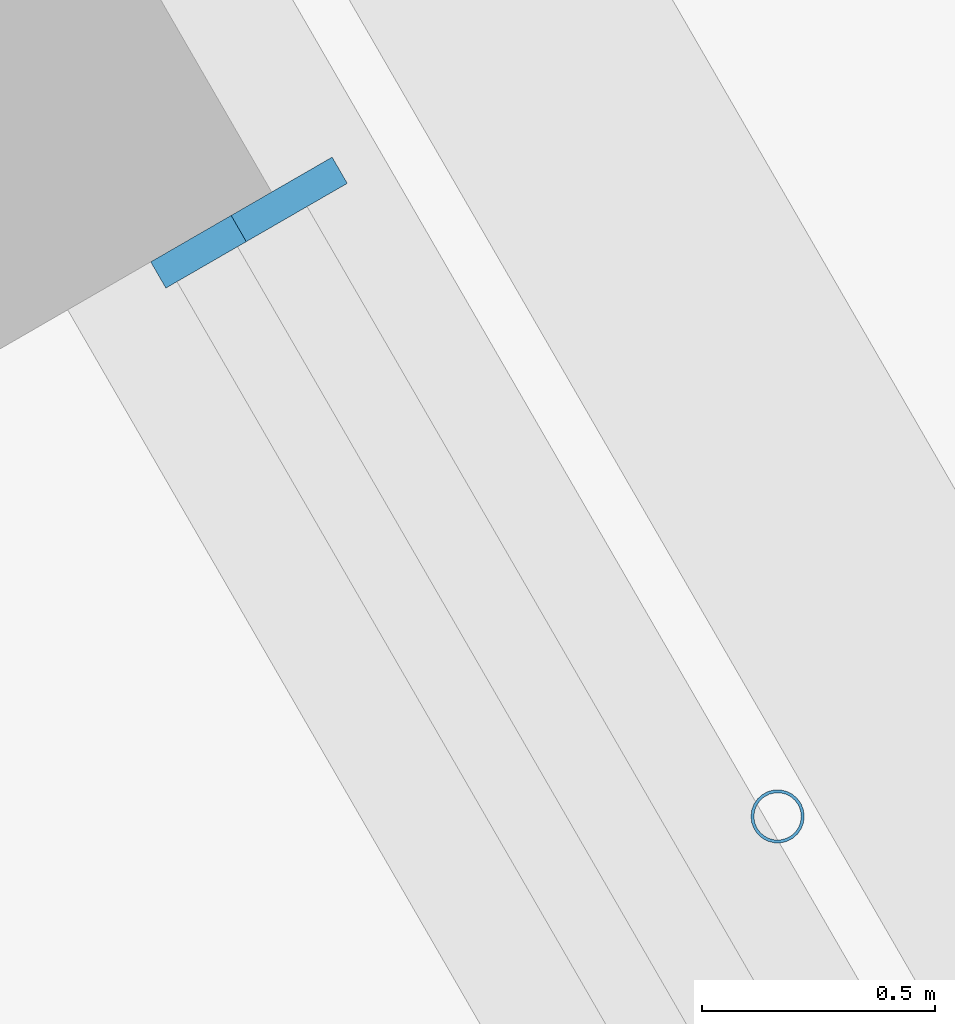
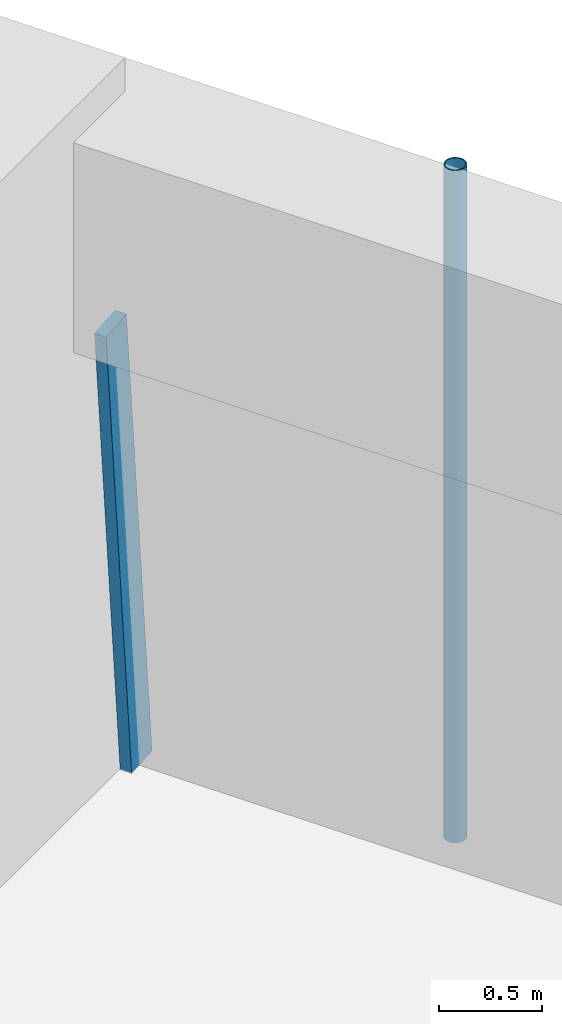
# One storey, part 15 of 24: 2 members, 1 element without a shape of its own.
"""IFC4 building model written with IfcOpenShell, lengths in metres."""

from ifc_helpers import new_model, si_unit, direction, frame, origin, origin_2d, place, context, subcontext, project, spatial, rectangle, hollow_circle, extrude, material, material_profile, profile_set, type_object, element, aggregate, save


model = new_model("IFC4")

# Units and contexts
model_context = context("Model", 3, precision=1e-05, world=origin(), true_north=direction((0.0, 1.0)))
body_context = subcontext(model_context, "Body", "Model", "MODEL_VIEW")
ifc_project = project(units=[si_unit("LENGTHUNIT", "METRE"), si_unit("AREAUNIT", "SQUARE_METRE"), si_unit("VOLUMEUNIT", "CUBIC_METRE"), si_unit("PLANEANGLEUNIT", "RADIAN"), si_unit("MASSUNIT", "GRAM", prefix="KILO")], contexts=[model_context])

# Site, building, storey
site_placement = place(None, origin())
site = spatial("IfcSite", under=ifc_project, at=site_placement, CompositionType="ELEMENT")
building_placement = place(site_placement, origin())
building = spatial("IfcBuilding", under=site, at=building_placement, Name="Tarfa Lantern Tower", CompositionType="ELEMENT")
storey_placement = place(building_placement, frame((0.0, 0.0, 169.89990234375)))
storey = spatial("IfcBuildingStorey", under=building, at=storey_placement, Name="L38", CompositionType="ELEMENT", Elevation=169.89990234375)

# Curtain wall, member
ifc_material_1 = material(Name="Aluminium framed curtain wall", Category="aluminium")
curtain_wall_type = type_object("IfcCurtainWallType", Name="CW2 CANTED GLAZING MID ZONE 2750", PredefinedType="USERDEFINED", material=ifc_material_1)
curtain_wall_placement = place(storey_placement, origin())
curtain_wall = element("IfcCurtainWall", 1, at=curtain_wall_placement, inside=storey, type_object=curtain_wall_type, Name="CW2 NE L38", ObjectType="CURTAIN WALL", PredefinedType="USERDEFINED")
ifc_material_2 = material(Name="Aluminium mullion", Category="aluminium")
ifc_material_profile_1 = material_profile(ifc_material_2, rectangle(XDim=0.06494140625, YDim=0.199951171875, at=origin_2d()), Name="AL MULLION 65x200")
ifc_profile_set_1 = profile_set([ifc_material_profile_1], Name="Aluminium mullion")
member_type_1 = type_object("IfcMemberType", Name="CWM1 MULLION 65x200", PredefinedType="MULLION", material=ifc_profile_set_1)
member_1_placement = place(storey_placement, frame((30.111328125, 10.645751953125, 0.0), z_axis=(-0.078422950161, -0.045267813396, 0.995891894715), x_axis=(0.499919672301, -0.866071776036, 0.0)))
member_1 = element("IfcMember", 2, at=member_1_placement, type_object=member_type_1, Name="CW2 mullion 2", PredefinedType="MULLION", context=body_context, shape_type="SweptSolid", body=[
    extrude(rectangle(XDim=0.06494140625, YDim=0.199951171875, at=origin_2d()), origin(), (0.0, 0.0, 1.0), 2.76123046875),
])
aggregate(curtain_wall, [member_1])

# Member
ifc_material_3 = material(Name="Steel S355", Category="steel")
ifc_material_profile_2 = material_profile(ifc_material_3, hollow_circle(Radius=0.05712890625, WallThickness=0.00634765625, at=origin_2d()), Name="CHS114.3x6.3")
ifc_profile_set_2 = profile_set([ifc_material_profile_2], Name="Steel S355")
member_type_2 = type_object("IfcMemberType", Name="TR1 GREEN WALL TRELLIS CHS114.3x6.3", PredefinedType="USERDEFINED", material=ifc_profile_set_2)
member_2_placement = place(storey_placement, frame((31.136474609375, 9.31005859375, 0.0), z_axis=(0.0, 0.0, 1.0), x_axis=(1.0, 0.0, 0.0)))
element("IfcMember", 3, at=member_2_placement, inside=storey, type_object=member_type_2, Name="Trellis post NE 1", ObjectType="TRELLIS", PredefinedType="USERDEFINED", context=body_context, shape_type="SweptSolid", body=[
    extrude(hollow_circle(Radius=0.05712890625, WallThickness=0.00634765625, at=origin_2d()), origin(), (0.0, 0.0, 1.0), 4.0),
])

save(model, "model.ifc")
